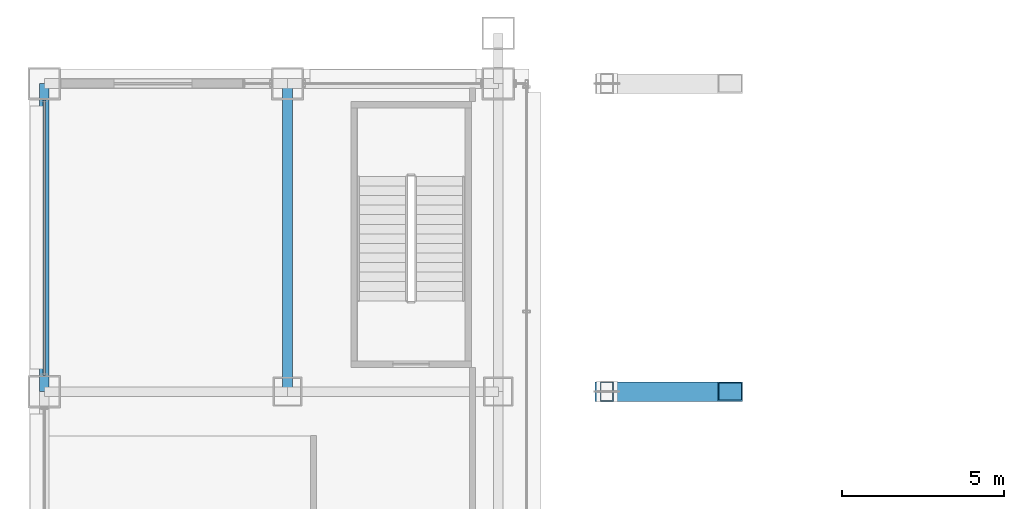
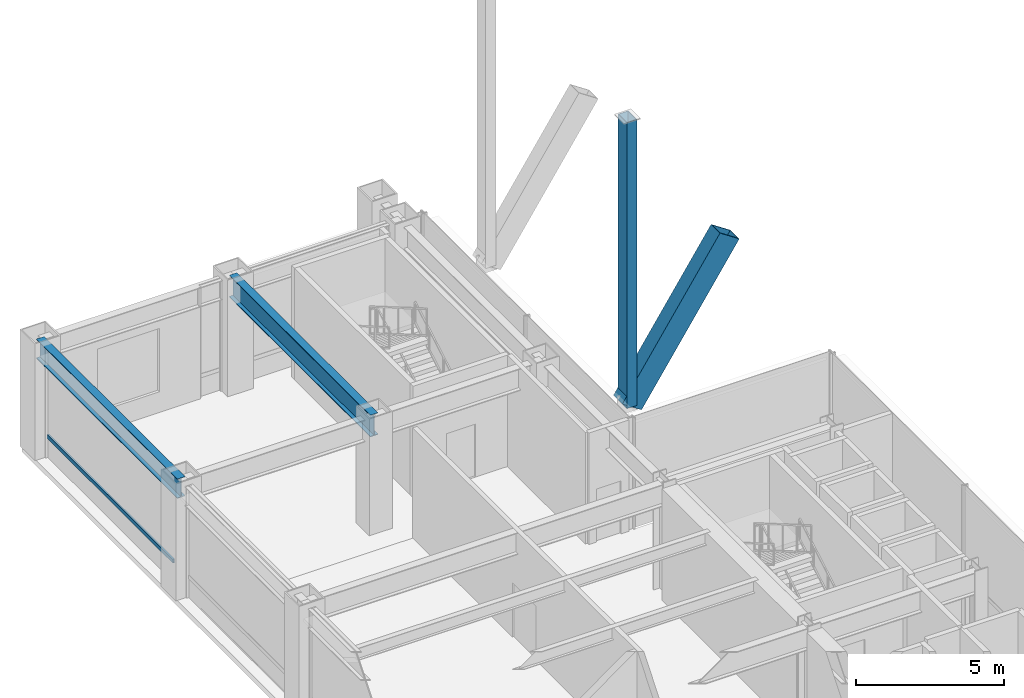
# One storey, part 17 of 40: 3 members, 2 beams, 1 element without a shape of its own.
"""IFC4 building model written with IfcOpenShell, lengths in metres."""

from ifc_helpers import new_model, si_unit, direction, frame, origin, origin_2d, place, context, subcontext, project, spatial, hollow_rectangle, i_section, extrude, material, layer, layer_set, material_profile, profile_set, type_object, element, aggregate, save


model = new_model("IFC4")

# Units and contexts
model_context = context("Model", 3, precision=1e-05, world=origin(), true_north=direction((0.0, 1.0)))
body_context = subcontext(model_context, "Body", "Model", "MODEL_VIEW")
ifc_project = project(units=[si_unit("LENGTHUNIT", "METRE"), si_unit("AREAUNIT", "SQUARE_METRE"), si_unit("VOLUMEUNIT", "CUBIC_METRE"), si_unit("PLANEANGLEUNIT", "RADIAN"), si_unit("MASSUNIT", "GRAM", prefix="KILO")], contexts=[model_context])

# Site, building, storey
site_placement = place(None, origin())
site = spatial("IfcSite", under=ifc_project, at=site_placement, CompositionType="ELEMENT")
building_placement = place(site_placement, origin())
building = spatial("IfcBuilding", under=site, at=building_placement, Name="Brelmoor Portico Tower", CompositionType="ELEMENT")
storey_placement = place(building_placement, frame((0.0, 0.0, 4.800048828125)))
storey = spatial("IfcBuildingStorey", under=building, at=storey_placement, Name="L01", CompositionType="ELEMENT", Elevation=4.800048828125)

# Beams
ifc_material_1 = material(Name="Steel Q355B", Category="steel")
ifc_material_profile_1 = material_profile(ifc_material_1, i_section(OverallWidth=0.300048828125, OverallDepth=0.89990234375, WebThickness=0.01611328125, FlangeThickness=0.028076171875, at=origin_2d()), Name="HN 900x300x16x28")
ifc_profile_set_1 = profile_set([ifc_material_profile_1], Name="Steel Q355B")
beam_type_1 = type_object("IfcBeamType", Name="BM-PG-900", PredefinedType="BEAM", material=ifc_profile_set_1)
beam_1_placement = place(storey_placement, frame((-21.050048828125, 18.050048828125, 4.1298828125), z_axis=(0.0, 1.0, 0.0), x_axis=(-1.0, 0.0, 0.0)))
element("IfcBeam", 1, at=beam_1_placement, inside=storey, type_object=beam_type_1, Name="L01 Primary Floor Girder PG-02", PredefinedType="BEAM", context=body_context, shape_type="SweptSolid", body=[
    extrude(i_section(OverallWidth=0.300048828125, OverallDepth=0.89990234375, WebThickness=0.01611328125, FlangeThickness=0.028076171875, at=origin_2d()), origin(), (0.0, 0.0, 1.0), 9.5),
])
ifc_material_profile_2 = material_profile(ifc_material_1, i_section(OverallWidth=0.300048828125, OverallDepth=0.800048828125, WebThickness=0.013916015625, FlangeThickness=0.02587890625, at=origin_2d()), Name="HN 800x300x14x26")
ifc_profile_set_2 = profile_set([ifc_material_profile_2], Name="Steel Q355B")
beam_type_2 = type_object("IfcBeamType", Name="BM-SP-800", PredefinedType="SPANDREL", material=ifc_profile_set_2)
beam_2_placement = place(storey_placement, frame((-28.550048828125, 18.050048828125, 4.179931640625), z_axis=(0.0, 1.0, 0.0), x_axis=(-1.0, 0.0, 0.0)))
element("IfcBeam", 2, at=beam_2_placement, inside=storey, type_object=beam_type_2, Name="L01 Perimeter Spandrel Beam SP-14", PredefinedType="SPANDREL", context=body_context, shape_type="SweptSolid", body=[
    extrude(i_section(OverallWidth=0.300048828125, OverallDepth=0.800048828125, WebThickness=0.013916015625, FlangeThickness=0.02587890625, at=origin_2d()), origin(), (0.0, 0.0, 1.0), 9.5),
])

# Members
ifc_material_2 = material(Name="Steel Q420B", Category="steel")
ifc_material_profile_3 = material_profile(ifc_material_2, hollow_rectangle(XDim=0.60009765625, YDim=0.89990234375, WallThickness=0.035888671875, at=origin_2d()), Name="RHS 600x900x36")
ifc_profile_set_3 = profile_set([ifc_material_profile_3], Name="Steel Q420B")
member_type_1 = type_object("IfcMemberType", Name="MB-ARCH-RIB", PredefinedType="CHORD", material=ifc_profile_set_3)
member_1_placement = place(storey_placement, frame((-11.199951171875, 18.050048828125, 1.599853515625), z_axis=(0.554691972244, 0.0, 0.832055776933), x_axis=(0.0, 1.0, 0.0)))
element("IfcMember", 3, at=member_1_placement, inside=storey, type_object=member_type_1, Name="Giant Portico Arch Rib N2-2", PredefinedType="CHORD", context=body_context, shape_type="SweptSolid", body=[
    extrude(hollow_rectangle(XDim=0.60009765625, YDim=0.89990234375, WallThickness=0.035888671875, at=origin_2d()), origin(), (0.0, 0.0, 1.0), 6.850830078125),
])
ifc_material_profile_4 = material_profile(ifc_material_1, hollow_rectangle(XDim=0.39990234375, YDim=0.60009765625, WallThickness=0.02392578125, at=origin_2d()), Name="RHS 400x600x24")
ifc_profile_set_4 = profile_set([ifc_material_profile_4], Name="Steel Q355B")
member_type_2 = type_object("IfcMemberType", Name="MB-ARCH-STRUT", PredefinedType="BRACE", material=ifc_profile_set_4)
member_2_placement = place(storey_placement, frame((-11.199951171875, 18.050048828125, 1.599853515625), z_axis=(0.0, 0.0, 1.0), x_axis=(1.0, 0.0, 0.0)))
element("IfcMember", 4, at=member_2_placement, inside=storey, type_object=member_type_2, Name="Portico Arch Spandrel Strut N2-1", PredefinedType="BRACE", context=body_context, shape_type="SweptSolid", body=[
    extrude(hollow_rectangle(XDim=0.39990234375, YDim=0.60009765625, WallThickness=0.02392578125, at=origin_2d()), origin(), (0.0, 0.0, 1.0), 11.755126953125),
])

# Curtain wall, member
ifc_material_3 = material(Name="Anodised Aluminium Alloy 6063-T6", Category="aluminium")
ifc_layer = layer(ifc_material_3, 0.179931640625)
ifc_layer_set = layer_set([ifc_layer], Name="Anodised Aluminium Alloy 6063-T6")
curtain_wall_type = type_object("IfcCurtainWallType", Name="CW-PODIUM-ARCH", PredefinedType="NOTDEFINED", material=ifc_layer_set)
curtain_wall_placement = place(storey_placement, origin())
curtain_wall = element("IfcCurtainWall", 5, at=curtain_wall_placement, inside=storey, type_object=curtain_wall_type, Name="L01 Curtain Wall CW-L01-05-6", PredefinedType="NOTDEFINED")
ifc_material_profile_5 = material_profile(ifc_material_3, hollow_rectangle(XDim=0.070068359375, YDim=0.159912109375, WallThickness=0.00390625, at=origin_2d()), Name="ALU TRANSOM 70x160")
ifc_profile_set_5 = profile_set([ifc_material_profile_5], Name="Anodised Aluminium Alloy 6063-T6")
member_type_3 = type_object("IfcMemberType", Name="MB-CW-TRAN-160", PredefinedType="USERDEFINED", material=ifc_profile_set_5)
member_3_placement = place(storey_placement, frame((-28.550048828125, 18.56005859375, 0.849853515625), z_axis=(0.0, 1.0, 0.0), x_axis=(-1.0, 0.0, 0.0)))
member_3 = element("IfcMember", 6, at=member_3_placement, type_object=member_type_3, Name="CW-L01-05-6 Transom 1-00", ObjectType="TRANSOM", PredefinedType="USERDEFINED", context=body_context, shape_type="SweptSolid", body=[
    extrude(hollow_rectangle(XDim=0.070068359375, YDim=0.159912109375, WallThickness=0.00390625, at=origin_2d()), origin(), (0.0, 0.0, 1.0), 8.47998046875),
])
aggregate(curtain_wall, [member_3])

save(model, "model.ifc")
